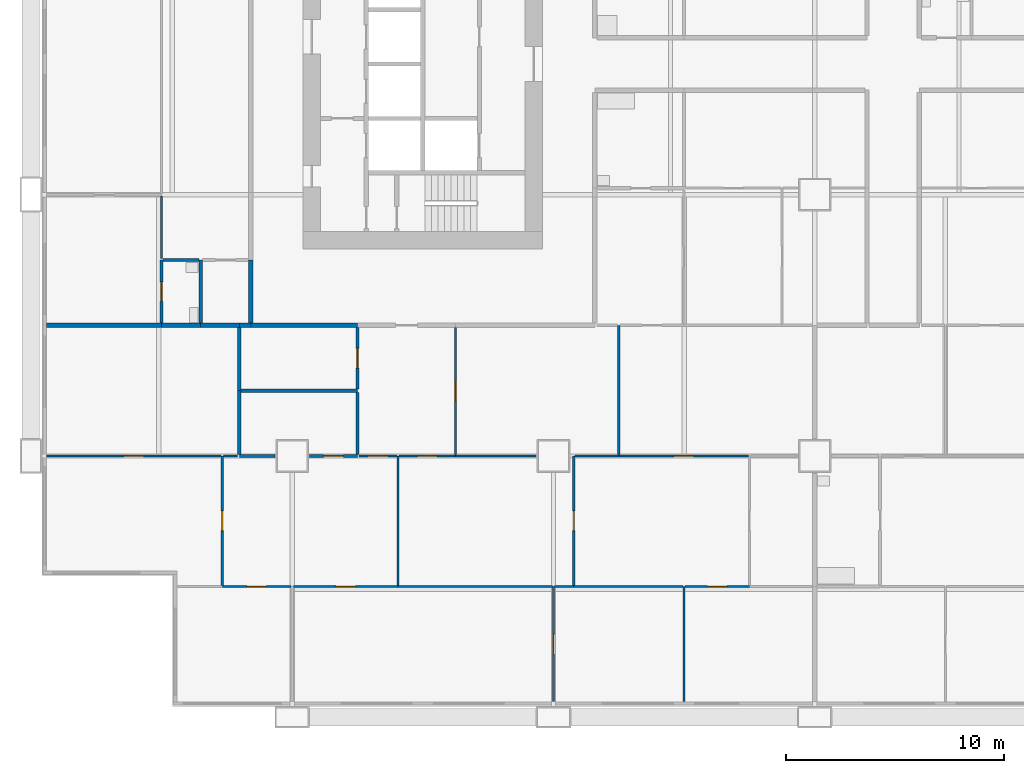
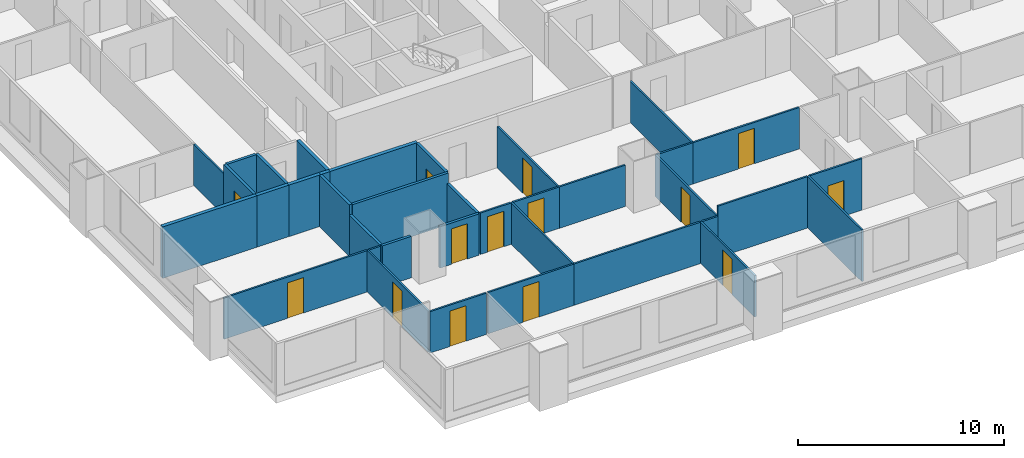
# One storey, part 2 of 13: 37 walls, 14 doors, 14 openings.
"""IFC4 building model written with IfcOpenShell, lengths in metres."""

import ifcopenshell
import ifcopenshell.guid

model = None  # the IFC model being written
_history = None  # IfcOwnerHistory: only IFC2X3 demands one
_inside = {}  # id of a spatial element -> (the spatial element, [elements in it])
_under = {}  # id of a project, library or spatial element -> (it, [spatial elements below it])
_declared = {}  # id of a project -> (the project, [libraries it declares])
_typed = {}  # id of a type object -> (the type object, [elements of that type])
_made_of = {}  # id of a material, layer set ... -> (it, [elements and type objects made of it])


def new_model(schema):
    """Start an empty IFC model of exactly this schema.

    Asked for "IFC4X3", IfcOpenShell would pick the latest addendum, in which some entities
    have other attributes; the version numbers below select the first issue.
    IFC2X3 requires an IfcOwnerHistory on every rooted entity: one is made here for all.
    """
    global model, _history
    if schema == "IFC4X3":
        model = ifcopenshell.file(schema_version=(4, 3, 0, 0))
    else:
        model = ifcopenshell.file(schema=schema)
    _inside.clear()
    _under.clear()
    _declared.clear()
    _typed.clear()
    _made_of.clear()
    _history = None
    if model.schema == "IFC2X3":
        org = make("IfcOrganization", Name="unknown")
        user = make(
            "IfcPersonAndOrganization",
            ThePerson=make("IfcPerson", FamilyName="unknown"),
            TheOrganization=org,
        )
        app = make(
            "IfcApplication",
            ApplicationDeveloper=org,
            Version="unknown",
            ApplicationFullName="unknown",
            ApplicationIdentifier="unknown",
        )
        _history = make(
            "IfcOwnerHistory",
            OwningUser=user,
            OwningApplication=app,
            ChangeAction="ADDED",
            CreationDate=0,
        )
    return model


def make(cls, **values):
    """One entity of the class cls with the attributes given. An attribute that is None is left unset."""
    return model.create_entity(
        cls, **{name: value for name, value in values.items() if value is not None}
    )


def rooted(cls, **values):
    """An entity with a GlobalId (a new one), such as an element, a storey or a relation."""
    return make(cls, GlobalId=ifcopenshell.guid.new(), OwnerHistory=_history, **values)


def si_unit(unit_type, name, prefix=None):
    """IfcSIUnit, for example si_unit("LENGTHUNIT", "METRE", prefix="MILLI")."""
    return make("IfcSIUnit", UnitType=unit_type, Prefix=prefix, Name=name)


def assignment(units):
    """IfcUnitAssignment: the units of a project."""
    return None if units is None else make("IfcUnitAssignment", Units=units)


def point(xyz):
    """IfcCartesianPoint."""
    return None if xyz is None else make("IfcCartesianPoint", Coordinates=xyz)


def direction(xyz):
    """IfcDirection."""
    return None if xyz is None else make("IfcDirection", DirectionRatios=xyz)


def frame(location, z_axis=None, x_axis=None):
    """IfcAxis2Placement3D, a coordinate frame: its origin and axes. An axis left out is left unset."""
    return make(
        "IfcAxis2Placement3D",
        Location=point(location),
        Axis=direction(z_axis),
        RefDirection=direction(x_axis),
    )


def frame_2d(location, x_axis=None):
    """IfcAxis2Placement2D, a coordinate frame in the plane: its origin and x axis."""
    return make(
        "IfcAxis2Placement2D", Location=point(location), RefDirection=direction(x_axis)
    )


def origin():
    """The frame at (0, 0, 0) with its axes left unset."""
    return frame((0.0, 0.0, 0.0))


def place(relative_to, where):
    """IfcLocalPlacement: puts the frame where relative to a parent placement (None: the world)."""
    return make(
        "IfcLocalPlacement", PlacementRelTo=relative_to, RelativePlacement=where
    )


def context(
    kind, dimensions, precision=None, world=None, true_north=None, identifier=None
):
    """IfcGeometricRepresentationContext, for example the 3D "Model" context."""
    return make(
        "IfcGeometricRepresentationContext",
        ContextIdentifier=identifier,
        ContextType=kind,
        CoordinateSpaceDimension=dimensions,
        Precision=precision,
        WorldCoordinateSystem=world,
        TrueNorth=true_north,
    )


def subcontext(parent, identifier, kind, view, scale=None):
    """IfcGeometricRepresentationSubContext, for example "Body" below "Model"."""
    return make(
        "IfcGeometricRepresentationSubContext",
        ContextIdentifier=identifier,
        ContextType=kind,
        ParentContext=parent,
        TargetScale=scale,
        TargetView=view,
    )


def project(units=None, contexts=None):
    """IfcProject with its units and contexts."""
    return rooted(
        "IfcProject",
        Name="project",
        RepresentationContexts=contexts,
        UnitsInContext=assignment(units),
    )


def spatial(cls, under=None, at=None, **own):
    """A site, building, storey or space (cls), placed at a placement, below another one or the project."""
    s = rooted(cls, ObjectPlacement=at, **own)
    if under is not None:
        _under.setdefault(under.id(), (under, []))[1].append(s)
    return s


def profile(cls, at=None, kind="AREA", **sizes):
    """A parametric profile (cls). Its sizes go by their IFC names, for example OverallWidth=200.0."""
    return make(cls, ProfileType=kind, Position=at, **sizes)


def rectangle(**sizes):
    """IfcRectangleProfileDef."""
    return profile("IfcRectangleProfileDef", **sizes)


def extrude(swept, where, along, depth):
    """IfcExtrudedAreaSolid: the profile swept, set in the frame where, extruded along a direction by depth."""
    return make(
        "IfcExtrudedAreaSolid",
        SweptArea=swept,
        Position=where,
        ExtrudedDirection=direction(along),
        Depth=depth,
    )


def shape(context_of_items, identifier, shape_type, items):
    """IfcShapeRepresentation: the items that make up one representation, for example the "Body"."""
    return make(
        "IfcShapeRepresentation",
        ContextOfItems=context_of_items,
        RepresentationIdentifier=identifier,
        RepresentationType=shape_type,
        Items=items,
    )


def material(Name=None, Category=None):
    """IfcMaterial."""
    return make("IfcMaterial", Name=Name, Category=Category)


def layer(
    of_material, thickness, ventilated=None, Name=None, Category=None, Priority=None
):
    """IfcMaterialLayer: one layer of a wall or slab, of a material (None: an air gap)."""
    return make(
        "IfcMaterialLayer",
        Material=of_material,
        LayerThickness=thickness,
        IsVentilated=ventilated,
        Name=Name,
        Category=Category,
        Priority=Priority,
    )


def layer_set(layers, Name=None):
    """IfcMaterialLayerSet."""
    return make("IfcMaterialLayerSet", MaterialLayers=layers, LayerSetName=Name)


def made_of(thing, what):
    """Note that an element or type object is made of a material, layer set ...; save() writes the relation."""
    if what is not None:
        _made_of.setdefault(what.id(), (what, []))[1].append(thing)
    return thing


def type_object(cls, material=None, **own):
    """A type object (cls), such as IfcWallType, which elements share."""
    return made_of(rooted(cls, **own), material)


def element(
    cls,
    number,
    at=None,
    inside=None,
    cuts=None,
    type_object=None,
    material=None,
    context=None,
    identifier="Body",
    shape_type=None,
    held_by="IfcProductDefinitionShape",
    body=None,
    shapes=None,
    **own,
):
    """One element of the class cls, such as IfcWall. Its Tag is "e" and its number.

    at: its placement. inside: the storey or other place that contains it. cuts: it is an
    opening in that element (IfcRelVoidsElement). A single representation is given by context,
    identifier, shape_type and body (its items); several are given by shapes. held_by: the class
    of the entity that holds the representations. save() writes the other relations.
    """
    e = rooted(cls, Tag="e%d" % number, ObjectPlacement=at, **own)
    if body is not None:
        shapes = [shape(context, identifier, shape_type, body)]
    if shapes is not None:
        e.Representation = make(held_by, Representations=shapes)
    if inside is not None:
        _inside.setdefault(inside.id(), (inside, []))[1].append(e)
    if cuts is not None:
        rooted(
            "IfcRelVoidsElement", RelatingBuildingElement=cuts, RelatedOpeningElement=e
        )
    if type_object is not None:
        _typed.setdefault(type_object.id(), (type_object, []))[1].append(e)
    return made_of(e, material)


def fill(opening, filler):
    """IfcRelFillsElement: the door or window that sits in an opening."""
    return rooted(
        "IfcRelFillsElement",
        RelatingOpeningElement=opening,
        RelatedBuildingElement=filler,
    )


def aggregate(whole, parts):
    """IfcRelAggregates: a whole, such as a stair, and the parts it consists of."""
    return rooted("IfcRelAggregates", RelatingObject=whole, RelatedObjects=parts)


def save(model, path):
    """Write the relations noted so far, then the file.

    IfcRelAggregates (storeys below a building ...), IfcRelContainedInSpatialStructure (elements
    in a storey), IfcRelDefinesByType, IfcRelAssociatesMaterial and IfcRelDeclares: one each for
    every whole, place, type object, material and project.
    """
    for whole, parts in _under.values():
        aggregate(whole, parts)
    for where, things in _inside.values():
        rooted(
            "IfcRelContainedInSpatialStructure",
            RelatedElements=things,
            RelatingStructure=where,
        )
    for kind, things in _typed.values():
        rooted("IfcRelDefinesByType", RelatedObjects=things, RelatingType=kind)
    for what, things in _made_of.values():
        rooted("IfcRelAssociatesMaterial", RelatedObjects=things, RelatingMaterial=what)
    for by, libraries in _declared.values():
        rooted("IfcRelDeclares", RelatingContext=by, RelatedDefinitions=libraries)
    model.write(path)


model = new_model("IFC4")

# Units and contexts
model_context = context("Model", 3, precision=1e-05, world=origin(), true_north=direction((0.0, 1.0)))
body_context = subcontext(model_context, "Body", "Model", "MODEL_VIEW")
ifc_project = project(units=[si_unit("LENGTHUNIT", "METRE"), si_unit("AREAUNIT", "SQUARE_METRE"), si_unit("VOLUMEUNIT", "CUBIC_METRE"), si_unit("PLANEANGLEUNIT", "RADIAN"), si_unit("MASSUNIT", "GRAM", prefix="KILO")], contexts=[model_context])

# Site, building, storey
site_placement = place(None, origin())
site = spatial("IfcSite", under=ifc_project, at=site_placement, CompositionType="ELEMENT")
building_placement = place(site_placement, origin())
building = spatial("IfcBuilding", under=site, at=building_placement, Name="Kitamizu Gate Tower and Museum", CompositionType="ELEMENT")
storey_placement = place(building_placement, frame((0.0, 0.0, 88.64990234375)))
storey = spatial("IfcBuildingStorey", under=building, at=storey_placement, Name="L22", CompositionType="ELEMENT", Elevation=88.64990234375)

# Wall, opening, door
ifc_material_1 = material(Name="Gypsum board on galvanised stud")
ifc_layer_1 = layer(ifc_material_1, 0.10009765625)
ifc_layer_set_1 = layer_set([ifc_layer_1], Name="Gypsum board on galvanised stud")
wall_type_1 = type_object("IfcWallType", Name="Partition 100 NOT RATED", PredefinedType="PARTITIONING", material=ifc_layer_set_1)
wall_1_placement = place(storey_placement, frame((11.949951171875, 6.0, 0.0), z_axis=(0.0, 0.0, 1.0), x_axis=(-1.0, 0.0, 0.0)))
wall_1 = element("IfcWall", 1, at=wall_1_placement, inside=storey, type_object=wall_type_1, Name="Partition L22-003", PredefinedType="PARTITIONING", context=body_context, shape_type="SweptSolid", body=[
    extrude(rectangle(XDim=3.159912109375, YDim=0.10009765625, at=frame_2d((1.580078125, 0.0))), origin(), (0.0, 0.0, 1.0), 2.4501953125),
])
opening_1_placement = place(wall_1_placement, frame((1.1298828125, 0.0, 0.0)))
opening_1 = element("IfcOpeningElement", 2, at=opening_1_placement, cuts=wall_1, Name="Opening L22-004", PredefinedType="OPENING", context=body_context, shape_type="SweptSolid", body=[
    extrude(rectangle(XDim=0.89990234375, YDim=2.10009765625, at=frame_2d((0.449951171875, 1.050048828125))), frame((0.0, 0.06005859375, 0.0), z_axis=(0.0, -1.0, 0.0), x_axis=(1.0, 0.0, 0.0)), (0.0, 0.0, 1.0), 0.1201171875),
])
ifc_material_2 = material(Name="Timber door set", Category="wood")
door_type_1 = type_object("IfcDoorType", Name="Room door 900", OperationType="NOTDEFINED", PredefinedType="DOOR", material=ifc_material_2)
door_1_placement = place(opening_1_placement, origin())
door_1 = element("IfcDoor", 3, at=door_1_placement, inside=storey, type_object=door_type_1, Name="Door L22-004", OperationType="SINGLE_SWING_RIGHT", OverallHeight=2.10009765625, OverallWidth=0.89990234375, PredefinedType="DOOR", context=body_context, shape_type="SweptSolid", body=[
    extrude(rectangle(XDim=0.89990234375, YDim=2.10009765625, at=frame_2d((0.449951171875, 1.050048828125))), frame((0.0, 0.02490234375, 0.0), z_axis=(0.0, -1.0, 0.0), x_axis=(1.0, 0.0, 0.0)), (0.0, 0.0, 1.0), 0.050048828125),
])
fill(opening_1, door_1)

wall_2_placement = place(storey_placement, frame((24.0, 0.719970703125, 0.0), z_axis=(0.0, 0.0, 1.0), x_axis=(0.0, 1.0, 0.0)))
wall_2 = element("IfcWall", 4, at=wall_2_placement, inside=storey, type_object=wall_type_1, Name="Partition L22-004", PredefinedType="PARTITIONING", context=body_context, shape_type="SweptSolid", body=[
    extrude(rectangle(XDim=5.280029296875, YDim=0.10009765625, at=frame_2d((2.64013671875, 0.0))), origin(), (0.0, 0.0, 1.0), 2.4501953125),
])
opening_2_placement = place(wall_2_placement, frame((2.18994140625, 0.0, 0.0)))
opening_2 = element("IfcOpeningElement", 5, at=opening_2_placement, cuts=wall_2, Name="Opening L22-008", PredefinedType="OPENING", context=body_context, shape_type="SweptSolid", body=[
    extrude(rectangle(XDim=0.89990234375, YDim=2.10009765625, at=frame_2d((0.449951171875, 1.050048828125))), frame((0.0, 0.06005859375, 0.0), z_axis=(0.0, -1.0, 0.0), x_axis=(1.0, 0.0, 0.0)), (0.0, 0.0, 1.0), 0.1201171875),
])
door_2_placement = place(opening_2_placement, frame((0.89990234375, 0.0, 0.0), x_axis=(-1.0, 0.0, 0.0)))
door_2 = element("IfcDoor", 6, at=door_2_placement, inside=storey, type_object=door_type_1, Name="Door L22-008", OperationType="SINGLE_SWING_LEFT", OverallHeight=2.10009765625, OverallWidth=0.89990234375, PredefinedType="DOOR", context=body_context, shape_type="SweptSolid", body=[
    extrude(rectangle(XDim=0.89990234375, YDim=2.10009765625, at=frame_2d((0.449951171875, 1.050048828125))), frame((0.0, 0.02490234375, 0.0), z_axis=(0.0, -1.0, 0.0), x_axis=(1.0, 0.0, 0.0)), (0.0, 0.0, 1.0), 0.050048828125),
])
fill(opening_2, door_2)

wall_3_placement = place(storey_placement, frame((16.860107421875, 6.0, 0.0), z_axis=(0.0, 0.0, 1.0), x_axis=(-1.0, 0.0, 0.0)))
wall_3 = element("IfcWall", 7, at=wall_3_placement, inside=storey, type_object=wall_type_1, Name="Partition L22-005", PredefinedType="PARTITIONING", context=body_context, shape_type="SweptSolid", body=[
    extrude(rectangle(XDim=4.81005859375, YDim=0.10009765625, at=frame_2d((2.405029296875, 0.0))), origin(), (0.0, 0.0, 1.0), 2.4501953125),
])
opening_3_placement = place(wall_3_placement, frame((1.955078125, 0.0, 0.0)))
opening_3 = element("IfcOpeningElement", 8, at=opening_3_placement, cuts=wall_3, Name="Opening L22-005", PredefinedType="OPENING", context=body_context, shape_type="SweptSolid", body=[
    extrude(rectangle(XDim=0.89990234375, YDim=2.10009765625, at=frame_2d((0.449951171875, 1.050048828125))), frame((0.0, 0.06005859375, 0.0), z_axis=(0.0, -1.0, 0.0), x_axis=(1.0, 0.0, 0.0)), (0.0, 0.0, 1.0), 0.1201171875),
])
door_3_placement = place(opening_3_placement, frame((0.89990234375, 0.0, 0.0), x_axis=(-1.0, 0.0, 0.0)))
door_3 = element("IfcDoor", 9, at=door_3_placement, inside=storey, type_object=door_type_1, Name="Door L22-005", OperationType="SINGLE_SWING_RIGHT", OverallHeight=2.10009765625, OverallWidth=0.89990234375, PredefinedType="DOOR", context=body_context, shape_type="SweptSolid", body=[
    extrude(rectangle(XDim=0.89990234375, YDim=2.10009765625, at=frame_2d((0.449951171875, 1.050048828125))), frame((0.0, 0.02490234375, 0.0), z_axis=(0.0, -1.0, 0.0), x_axis=(1.0, 0.0, 0.0)), (0.0, 0.0, 1.0), 0.050048828125),
])
fill(opening_3, door_3)

# Walls
wall_4_placement = place(storey_placement, frame((23.949951171875, 6.0, 0.0), z_axis=(0.0, 0.0, 1.0), x_axis=(-1.0, 0.0, 0.0)))
element("IfcWall", 10, at=wall_4_placement, inside=storey, type_object=wall_type_1, Name="Partition L22-006", PredefinedType="PARTITIONING", context=body_context, shape_type="SweptSolid", body=[
    extrude(rectangle(XDim=7.08984375, YDim=0.10009765625, at=frame_2d((3.544921875, 0.0))), origin(), (0.0, 0.0, 1.0), 2.4501953125),
])
wall_5_placement = place(storey_placement, frame((30.0, 0.719970703125, 0.0), z_axis=(0.0, 0.0, 1.0), x_axis=(0.0, 1.0, 0.0)))
element("IfcWall", 11, at=wall_5_placement, inside=storey, type_object=wall_type_1, Name="Partition L22-007", PredefinedType="PARTITIONING", context=body_context, shape_type="SweptSolid", body=[
    extrude(rectangle(XDim=5.280029296875, YDim=0.10009765625, at=frame_2d((2.64013671875, 0.0))), origin(), (0.0, 0.0, 1.0), 3.050048828125),
])
wall_6_placement = place(storey_placement, frame((24.929931640625, 6.0, 0.0), z_axis=(0.0, 0.0, 1.0), x_axis=(-1.0, 0.0, 0.0)))
element("IfcWall", 12, at=wall_6_placement, inside=storey, type_object=wall_type_1, Name="Partition L22-008", PredefinedType="PARTITIONING", context=body_context, shape_type="SweptSolid", body=[
    extrude(rectangle(XDim=0.8798828125, YDim=0.10009765625, at=frame_2d((0.43994140625, 0.0))), origin(), (0.0, 0.0, 1.0), 2.4501953125),
])
wall_7_placement = place(storey_placement, frame((29.949951171875, 6.0, 0.0), z_axis=(0.0, 0.0, 1.0), x_axis=(-1.0, 0.0, 0.0)))
element("IfcWall", 13, at=wall_7_placement, inside=storey, type_object=wall_type_1, Name="Partition L22-009", PredefinedType="PARTITIONING", context=body_context, shape_type="SweptSolid", body=[
    extrude(rectangle(XDim=5.02001953125, YDim=0.10009765625, at=frame_2d((2.510009765625, 0.0))), origin(), (0.0, 0.0, 1.0), 3.050048828125),
])

# Wall, opening, door
wall_8_placement = place(storey_placement, frame((33.0, 6.0, 0.0), z_axis=(0.0, 0.0, 1.0), x_axis=(-1.0, 0.0, 0.0)))
wall_8 = element("IfcWall", 14, at=wall_8_placement, inside=storey, type_object=wall_type_1, Name="Partition L22-010", PredefinedType="PARTITIONING", context=body_context, shape_type="SweptSolid", body=[
    extrude(rectangle(XDim=2.949951171875, YDim=0.10009765625, at=frame_2d((1.47509765625, 0.0))), origin(), (0.0, 0.0, 1.0), 3.050048828125),
])
opening_4_placement = place(wall_8_placement, frame((1.02490234375, 0.0, 0.0)))
opening_4 = element("IfcOpeningElement", 15, at=opening_4_placement, cuts=wall_8, Name="Opening L22-009", PredefinedType="OPENING", context=body_context, shape_type="SweptSolid", body=[
    extrude(rectangle(XDim=0.89990234375, YDim=2.10009765625, at=frame_2d((0.449951171875, 1.050048828125))), frame((0.0, 0.06005859375, 0.0), z_axis=(0.0, -1.0, 0.0), x_axis=(1.0, 0.0, 0.0)), (0.0, 0.0, 1.0), 0.1201171875),
])
door_4_placement = place(opening_4_placement, origin())
door_4 = element("IfcDoor", 16, at=door_4_placement, inside=storey, type_object=door_type_1, Name="Door L22-009", OperationType="SINGLE_SWING_LEFT", OverallHeight=2.10009765625, OverallWidth=0.89990234375, PredefinedType="DOOR", context=body_context, shape_type="SweptSolid", body=[
    extrude(rectangle(XDim=0.89990234375, YDim=2.10009765625, at=frame_2d((0.449951171875, 1.050048828125))), frame((0.0, 0.02490234375, 0.0), z_axis=(0.0, -1.0, 0.0), x_axis=(1.0, 0.0, 0.0)), (0.0, 0.0, 1.0), 0.050048828125),
])
fill(opening_4, door_4)

wall_9_placement = place(storey_placement, frame((8.7900390625, 6.050048828125, 0.0), z_axis=(0.0, 0.0, 1.0), x_axis=(0.0, 1.0, 0.0)))
wall_9 = element("IfcWall", 17, at=wall_9_placement, inside=storey, type_object=wall_type_1, Name="Partition L22-013", PredefinedType="PARTITIONING", context=body_context, shape_type="SweptSolid", body=[
    extrude(rectangle(XDim=5.949951171875, YDim=0.10009765625, at=frame_2d((2.97509765625, 0.0))), origin(), (0.0, 0.0, 1.0), 2.4501953125),
])
opening_5_placement = place(wall_9_placement, frame((2.52490234375, 0.0, 0.0)))
opening_5 = element("IfcOpeningElement", 18, at=opening_5_placement, cuts=wall_9, Name="Opening L22-006", PredefinedType="OPENING", context=body_context, shape_type="SweptSolid", body=[
    extrude(rectangle(XDim=0.89990234375, YDim=2.10009765625, at=frame_2d((0.449951171875, 1.050048828125))), frame((0.0, 0.06005859375, 0.0), z_axis=(0.0, -1.0, 0.0), x_axis=(1.0, 0.0, 0.0)), (0.0, 0.0, 1.0), 0.1201171875),
])
door_5_placement = place(opening_5_placement, frame((0.89990234375, 0.0, 0.0), x_axis=(-1.0, 0.0, 0.0)))
door_5 = element("IfcDoor", 19, at=door_5_placement, inside=storey, type_object=door_type_1, Name="Door L22-006", OperationType="SINGLE_SWING_LEFT", OverallHeight=2.10009765625, OverallWidth=0.89990234375, PredefinedType="DOOR", context=body_context, shape_type="SweptSolid", body=[
    extrude(rectangle(XDim=0.89990234375, YDim=2.10009765625, at=frame_2d((0.449951171875, 1.050048828125))), frame((0.0, 0.02490234375, 0.0), z_axis=(0.0, -1.0, 0.0), x_axis=(1.0, 0.0, 0.0)), (0.0, 0.0, 1.0), 0.050048828125),
])
fill(opening_5, door_5)

wall_10_placement = place(storey_placement, frame((8.739990234375, 12.0, 0.0), z_axis=(0.0, 0.0, 1.0), x_axis=(-1.0, 0.0, 0.0)))
wall_10 = element("IfcWall", 20, at=wall_10_placement, inside=storey, type_object=wall_type_1, Name="Partition L22-014", PredefinedType="PARTITIONING", context=body_context, shape_type="SweptSolid", body=[
    extrude(rectangle(XDim=8.02001953125, YDim=0.10009765625, at=frame_2d((4.010009765625, 0.0))), origin(), (0.0, 0.0, 1.0), 2.4501953125),
])
opening_6_placement = place(wall_10_placement, frame((3.56005859375, 0.0, 0.0)))
opening_6 = element("IfcOpeningElement", 21, at=opening_6_placement, cuts=wall_10, Name="Opening L22-011", PredefinedType="OPENING", context=body_context, shape_type="SweptSolid", body=[
    extrude(rectangle(XDim=0.89990234375, YDim=2.10009765625, at=frame_2d((0.449951171875, 1.050048828125))), frame((0.0, 0.06005859375, 0.0), z_axis=(0.0, -1.0, 0.0), x_axis=(1.0, 0.0, 0.0)), (0.0, 0.0, 1.0), 0.1201171875),
])
door_6_placement = place(opening_6_placement, frame((0.89990234375, 0.0, 0.0), x_axis=(-1.0, 0.0, 0.0)))
door_6 = element("IfcDoor", 22, at=door_6_placement, inside=storey, type_object=door_type_1, Name="Door L22-011", OperationType="SINGLE_SWING_LEFT", OverallHeight=2.10009765625, OverallWidth=0.89990234375, PredefinedType="DOOR", context=body_context, shape_type="SweptSolid", body=[
    extrude(rectangle(XDim=0.89990234375, YDim=2.10009765625, at=frame_2d((0.449951171875, 1.050048828125))), frame((0.0, 0.02490234375, 0.0), z_axis=(0.0, -1.0, 0.0), x_axis=(1.0, 0.0, 0.0)), (0.0, 0.0, 1.0), 0.050048828125),
])
fill(opening_6, door_6)

# Walls
wall_11_placement = place(storey_placement, frame((16.860107421875, 6.050048828125, 0.0), z_axis=(0.0, 0.0, 1.0), x_axis=(0.0, 1.0, 0.0)))
element("IfcWall", 23, at=wall_11_placement, inside=storey, type_object=wall_type_1, Name="Partition L22-015", PredefinedType="PARTITIONING", context=body_context, shape_type="SweptSolid", body=[
    extrude(rectangle(XDim=5.949951171875, YDim=0.10009765625, at=frame_2d((2.97509765625, 0.0))), origin(), (0.0, 0.0, 1.0), 2.4501953125),
])
wall_12_placement = place(storey_placement, frame((9.4990234375, 12.0, 0.0), z_axis=(0.0, 0.0, 1.0), x_axis=(-1.0, 0.0, 0.0)))
element("IfcWall", 24, at=wall_12_placement, inside=storey, type_object=wall_type_1, Name="Partition L22-016", PredefinedType="PARTITIONING", context=body_context, shape_type="SweptSolid", body=[
    extrude(rectangle(XDim=0.658935546875, YDim=0.10009765625, at=frame_2d((0.32958984375, 0.0))), origin(), (0.0, 0.0, 1.0), 2.4501953125),
])

# Wall, opening, door
wall_13_placement = place(storey_placement, frame((16.81005859375, 12.0, 0.0), z_axis=(0.0, 0.0, 1.0), x_axis=(-1.0, 0.0, 0.0)))
wall_13 = element("IfcWall", 25, at=wall_13_placement, inside=storey, type_object=wall_type_1, Name="Partition L22-019", PredefinedType="PARTITIONING", context=body_context, shape_type="SweptSolid", body=[
    extrude(rectangle(XDim=1.735107421875, YDim=0.10009765625, at=frame_2d((0.86767578125, 0.0))), origin(), (0.0, 0.0, 1.0), 2.4501953125),
])
opening_7_placement = place(wall_13_placement, frame((0.41748046875, 0.0, 0.0)))
opening_7 = element("IfcOpeningElement", 26, at=opening_7_placement, cuts=wall_13, Name="Opening L22-002", PredefinedType="OPENING", context=body_context, shape_type="SweptSolid", body=[
    extrude(rectangle(XDim=0.89990234375, YDim=2.10009765625, at=frame_2d((0.449951171875, 1.050048828125))), frame((0.0, 0.06005859375, 0.0), z_axis=(0.0, -1.0, 0.0), x_axis=(1.0, 0.0, 0.0)), (0.0, 0.0, 1.0), 0.1201171875),
])
door_7_placement = place(opening_7_placement, origin())
door_7 = element("IfcDoor", 27, at=door_7_placement, inside=storey, type_object=door_type_1, Name="Door L22-002", OperationType="SINGLE_SWING_RIGHT", OverallHeight=2.10009765625, OverallWidth=0.89990234375, PredefinedType="DOOR", context=body_context, shape_type="SweptSolid", body=[
    extrude(rectangle(XDim=0.89990234375, YDim=2.10009765625, at=frame_2d((0.449951171875, 1.050048828125))), frame((0.0, 0.02490234375, 0.0), z_axis=(0.0, -1.0, 0.0), x_axis=(1.0, 0.0, 0.0)), (0.0, 0.0, 1.0), 0.050048828125),
])
fill(opening_7, door_7)

wall_14_placement = place(storey_placement, frame((24.929931640625, 6.050048828125, 0.0), z_axis=(0.0, 0.0, 1.0), x_axis=(0.0, 1.0, 0.0)))
wall_14 = element("IfcWall", 28, at=wall_14_placement, inside=storey, type_object=wall_type_1, Name="Partition L22-020", PredefinedType="PARTITIONING", context=body_context, shape_type="SweptSolid", body=[
    extrude(rectangle(XDim=5.949951171875, YDim=0.10009765625, at=frame_2d((2.97509765625, 0.0))), origin(), (0.0, 0.0, 1.0), 2.4501953125),
])
opening_8_placement = place(wall_14_placement, frame((2.52490234375, 0.0, 0.0)))
opening_8 = element("IfcOpeningElement", 29, at=opening_8_placement, cuts=wall_14, Name="Opening L22-007", PredefinedType="OPENING", context=body_context, shape_type="SweptSolid", body=[
    extrude(rectangle(XDim=0.89990234375, YDim=2.10009765625, at=frame_2d((0.449951171875, 1.050048828125))), frame((0.0, 0.06005859375, 0.0), z_axis=(0.0, -1.0, 0.0), x_axis=(1.0, 0.0, 0.0)), (0.0, 0.0, 1.0), 0.1201171875),
])
door_8_placement = place(opening_8_placement, origin())
door_8 = element("IfcDoor", 30, at=door_8_placement, inside=storey, type_object=door_type_1, Name="Door L22-007", OperationType="SINGLE_SWING_LEFT", OverallHeight=2.10009765625, OverallWidth=0.89990234375, PredefinedType="DOOR", context=body_context, shape_type="SweptSolid", body=[
    extrude(rectangle(XDim=0.89990234375, YDim=2.10009765625, at=frame_2d((0.449951171875, 1.050048828125))), frame((0.0, 0.02490234375, 0.0), z_axis=(0.0, -1.0, 0.0), x_axis=(1.0, 0.0, 0.0)), (0.0, 0.0, 1.0), 0.050048828125),
])
fill(opening_8, door_8)

wall_15_placement = place(storey_placement, frame((19.5, 12.0, 0.0), z_axis=(0.0, 0.0, 1.0), x_axis=(-1.0, 0.0, 0.0)))
wall_15 = element("IfcWall", 31, at=wall_15_placement, inside=storey, type_object=wall_type_1, Name="Partition L22-021", PredefinedType="PARTITIONING", context=body_context, shape_type="SweptSolid", body=[
    extrude(rectangle(XDim=2.590087890625, YDim=0.10009765625, at=frame_2d((1.294921875, 0.0))), origin(), (0.0, 0.0, 1.0), 2.4501953125),
])
opening_9_placement = place(wall_15_placement, frame((0.844970703125, 0.0, 0.0)))
opening_9 = element("IfcOpeningElement", 32, at=opening_9_placement, cuts=wall_15, Name="Opening L22-003", PredefinedType="OPENING", context=body_context, shape_type="SweptSolid", body=[
    extrude(rectangle(XDim=0.89990234375, YDim=2.10009765625, at=frame_2d((0.449951171875, 1.050048828125))), frame((0.0, 0.06005859375, 0.0), z_axis=(0.0, -1.0, 0.0), x_axis=(1.0, 0.0, 0.0)), (0.0, 0.0, 1.0), 0.1201171875),
])
door_9_placement = place(opening_9_placement, origin())
door_9 = element("IfcDoor", 33, at=door_9_placement, inside=storey, type_object=door_type_1, Name="Door L22-003", OperationType="SINGLE_SWING_LEFT", OverallHeight=2.10009765625, OverallWidth=0.89990234375, PredefinedType="DOOR", context=body_context, shape_type="SweptSolid", body=[
    extrude(rectangle(XDim=0.89990234375, YDim=2.10009765625, at=frame_2d((0.449951171875, 1.050048828125))), frame((0.0, 0.02490234375, 0.0), z_axis=(0.0, -1.0, 0.0), x_axis=(1.0, 0.0, 0.0)), (0.0, 0.0, 1.0), 0.050048828125),
])
fill(opening_9, door_9)

# Walls
wall_16_placement = place(storey_placement, frame((23.199951171875, 12.0, 0.0), z_axis=(0.0, 0.0, 1.0), x_axis=(-1.0, 0.0, 0.0)))
element("IfcWall", 34, at=wall_16_placement, inside=storey, type_object=wall_type_1, Name="Partition L22-022", PredefinedType="PARTITIONING", context=body_context, shape_type="SweptSolid", body=[
    extrude(rectangle(XDim=3.699951171875, YDim=0.10009765625, at=frame_2d((1.85009765625, 0.0))), origin(), (0.0, 0.0, 1.0), 2.4501953125),
])
wall_17_placement = place(storey_placement, frame((27.0, 12.0, 0.0), z_axis=(0.0, 0.0, 1.0), x_axis=(-1.0, 0.0, 0.0)))
element("IfcWall", 35, at=wall_17_placement, inside=storey, type_object=wall_type_1, Name="Partition L22-024", PredefinedType="PARTITIONING", context=body_context, shape_type="SweptSolid", body=[
    extrude(rectangle(XDim=2.02001953125, YDim=0.10009765625, at=frame_2d((1.010009765625, 0.0))), origin(), (0.0, 0.0, 1.0), 2.4501953125),
])

# Wall, opening, door
wall_18_placement = place(storey_placement, frame((32.949951171875, 12.0, 0.0), z_axis=(0.0, 0.0, 1.0), x_axis=(-1.0, 0.0, 0.0)))
wall_18 = element("IfcWall", 36, at=wall_18_placement, inside=storey, type_object=wall_type_1, Name="Partition L22-025", PredefinedType="PARTITIONING", context=body_context, shape_type="SweptSolid", body=[
    extrude(rectangle(XDim=5.949951171875, YDim=0.10009765625, at=frame_2d((2.97509765625, 0.0))), origin(), (0.0, 0.0, 1.0), 2.4501953125),
])
opening_10_placement = place(wall_18_placement, frame((2.52490234375, 0.0, 0.0)))
opening_10 = element("IfcOpeningElement", 37, at=opening_10_placement, cuts=wall_18, Name="Opening L22-015", PredefinedType="OPENING", context=body_context, shape_type="SweptSolid", body=[
    extrude(rectangle(XDim=0.89990234375, YDim=2.10009765625, at=frame_2d((0.449951171875, 1.050048828125))), frame((0.0, 0.06005859375, 0.0), z_axis=(0.0, -1.0, 0.0), x_axis=(1.0, 0.0, 0.0)), (0.0, 0.0, 1.0), 0.1201171875),
])
door_10_placement = place(opening_10_placement, origin())
door_10 = element("IfcDoor", 38, at=door_10_placement, inside=storey, type_object=door_type_1, Name="Door L22-015", OperationType="SINGLE_SWING_RIGHT", OverallHeight=2.10009765625, OverallWidth=0.89990234375, PredefinedType="DOOR", context=body_context, shape_type="SweptSolid", body=[
    extrude(rectangle(XDim=0.89990234375, YDim=2.10009765625, at=frame_2d((0.449951171875, 1.050048828125))), frame((0.0, 0.02490234375, 0.0), z_axis=(0.0, -1.0, 0.0), x_axis=(1.0, 0.0, 0.0)), (0.0, 0.0, 1.0), 0.050048828125),
])
fill(opening_10, door_10)

wall_19_placement = place(storey_placement, frame((19.5, 12.050048828125, 0.0), z_axis=(0.0, 0.0, 1.0), x_axis=(0.0, 1.0, 0.0)))
wall_19 = element("IfcWall", 39, at=wall_19_placement, inside=storey, type_object=wall_type_1, Name="Partition L22-038", PredefinedType="PARTITIONING", context=body_context, shape_type="SweptSolid", body=[
    extrude(rectangle(XDim=5.849853515625, YDim=0.10009765625, at=frame_2d((2.9248046875, 0.0))), origin(), (0.0, 0.0, 1.0), 2.4501953125),
])
opening_11_placement = place(wall_19_placement, frame((2.47509765625, 0.0, 0.0)))
opening_11 = element("IfcOpeningElement", 40, at=opening_11_placement, cuts=wall_19, Name="Opening L22-014", PredefinedType="OPENING", context=body_context, shape_type="SweptSolid", body=[
    extrude(rectangle(XDim=0.89990234375, YDim=2.10009765625, at=frame_2d((0.449951171875, 1.050048828125))), frame((0.0, 0.06005859375, 0.0), z_axis=(0.0, -1.0, 0.0), x_axis=(1.0, 0.0, 0.0)), (0.0, 0.0, 1.0), 0.1201171875),
])
door_11_placement = place(opening_11_placement, frame((0.89990234375, 0.0, 0.0), x_axis=(-1.0, 0.0, 0.0)))
door_11 = element("IfcDoor", 41, at=door_11_placement, inside=storey, type_object=door_type_1, Name="Door L22-014", OperationType="SINGLE_SWING_RIGHT", OverallHeight=2.10009765625, OverallWidth=0.89990234375, PredefinedType="DOOR", context=body_context, shape_type="SweptSolid", body=[
    extrude(rectangle(XDim=0.89990234375, YDim=2.10009765625, at=frame_2d((0.449951171875, 1.050048828125))), frame((0.0, 0.02490234375, 0.0), z_axis=(0.0, -1.0, 0.0), x_axis=(1.0, 0.0, 0.0)), (0.0, 0.0, 1.0), 0.050048828125),
])
fill(opening_11, door_11)

# Walls
wall_20_placement = place(storey_placement, frame((27.0, 12.050048828125, 0.0), z_axis=(0.0, 0.0, 1.0), x_axis=(0.0, 1.0, 0.0)))
element("IfcWall", 42, at=wall_20_placement, inside=storey, type_object=wall_type_1, Name="Partition L22-040", PredefinedType="PARTITIONING", context=body_context, shape_type="SweptSolid", body=[
    extrude(rectangle(XDim=5.949951171875, YDim=0.10009765625, at=frame_2d((2.97509765625, 0.0))), origin(), (0.0, 0.0, 1.0), 2.4501953125),
])
wall_21_placement = place(storey_placement, frame((6.0, 21.074951171875, 0.0), z_axis=(0.0, 0.0, 1.0), x_axis=(0.0, 1.0, 0.0)))
element("IfcWall", 43, at=wall_21_placement, inside=storey, type_object=wall_type_1, Name="Partition L22-065", PredefinedType="PARTITIONING", context=body_context, shape_type="SweptSolid", body=[
    extrude(rectangle(XDim=2.875, YDim=0.10009765625, at=frame_2d((1.4375, 0.0))), origin(), (0.0, 0.0, 1.0), 2.4501953125),
])
ifc_material_3 = material(Name="Gypsum board on galvanised stud")
ifc_layer_2 = layer(ifc_material_3, 0.14990234375)
ifc_layer_set_2 = layer_set([ifc_layer_2], Name="Gypsum board on galvanised stud")
wall_type_2 = type_object("IfcWallType", Name="Partition 150", PredefinedType="PARTITIONING", material=ifc_layer_set_2)
wall_22_placement = place(storey_placement, frame((11.199951171875, 12.0, 0.0), z_axis=(0.0, 0.0, 1.0), x_axis=(-1.0, 0.0, 0.0)))
element("IfcWall", 44, at=wall_22_placement, inside=storey, type_object=wall_type_2, Name="Partition L22-017", PredefinedType="PARTITIONING", context=body_context, shape_type="SweptSolid", body=[
    extrude(rectangle(XDim=1.6259765625, YDim=0.14990234375, at=frame_2d((0.81298828125, 0.0))), origin(), (0.0, 0.0, 1.0), 2.4501953125),
])

# Wall, opening, door
wall_23_placement = place(storey_placement, frame((15.0, 12.0, 0.0), z_axis=(0.0, 0.0, 1.0), x_axis=(-1.0, 0.0, 0.0)))
wall_23 = element("IfcWall", 45, at=wall_23_placement, inside=storey, type_object=wall_type_2, Name="Partition L22-018", PredefinedType="PARTITIONING", context=body_context, shape_type="SweptSolid", body=[
    extrude(rectangle(XDim=2.199951171875, YDim=0.14990234375, at=frame_2d((1.10009765625, 0.0))), origin(), (0.0, 0.0, 1.0), 2.4501953125),
])
opening_12_placement = place(wall_23_placement, frame((0.64990234375, 0.0, 0.0)))
opening_12 = element("IfcOpeningElement", 46, at=opening_12_placement, cuts=wall_23, Name="Opening L22-012", PredefinedType="OPENING", context=body_context, shape_type="SweptSolid", body=[
    extrude(rectangle(XDim=0.89990234375, YDim=2.10009765625, at=frame_2d((0.449951171875, 1.050048828125))), frame((0.0, 0.0849609375, 0.0), z_axis=(0.0, -1.0, 0.0), x_axis=(1.0, 0.0, 0.0)), (0.0, 0.0, 1.0), 0.169921875),
])
ifc_material_4 = material(Name="Timber door set", Category="wood")
door_type_2 = type_object("IfcDoorType", Name="Bathroom door 900", OperationType="NOTDEFINED", PredefinedType="DOOR", material=ifc_material_4)
door_12_placement = place(opening_12_placement, frame((0.89990234375, 0.0, 0.0), x_axis=(-1.0, 0.0, 0.0)))
door_12 = element("IfcDoor", 47, at=door_12_placement, inside=storey, type_object=door_type_2, Name="Bathroom door L22-012", OperationType="SINGLE_SWING_RIGHT", OverallHeight=2.10009765625, OverallWidth=0.89990234375, PredefinedType="DOOR", context=body_context, shape_type="SweptSolid", body=[
    extrude(rectangle(XDim=0.89990234375, YDim=2.10009765625, at=frame_2d((0.449951171875, 1.050048828125))), frame((0.0, 0.02490234375, 0.0), z_axis=(0.0, -1.0, 0.0), x_axis=(1.0, 0.0, 0.0)), (0.0, 0.0, 1.0), 0.050048828125),
])
fill(opening_12, door_12)

# Walls
wall_24_placement = place(storey_placement, frame((9.573974609375, 12.074951171875, 0.0), z_axis=(0.0, 0.0, 1.0), x_axis=(0.0, 1.0, 0.0)))
element("IfcWall", 48, at=wall_24_placement, inside=storey, type_object=wall_type_2, Name="Partition L22-028", PredefinedType="PARTITIONING", context=body_context, shape_type="SweptSolid", body=[
    extrude(rectangle(XDim=2.925048828125, YDim=0.14990234375, at=frame_2d((1.46240234375, 0.0))), origin(), (0.0, 0.0, 1.0), 2.4501953125),
])
wall_25_placement = place(storey_placement, frame((9.573974609375, 15.0, 0.0), z_axis=(0.0, 0.0, 1.0), x_axis=(0.0, 1.0, 0.0)))
element("IfcWall", 49, at=wall_25_placement, inside=storey, type_object=wall_type_2, Name="Partition L22-029", PredefinedType="PARTITIONING", context=body_context, shape_type="SweptSolid", body=[
    extrude(rectangle(XDim=2.89990234375, YDim=0.14990234375, at=frame_2d((1.449951171875, 0.0))), origin(), (0.0, 0.0, 1.0), 3.050048828125),
])
wall_26_placement = place(storey_placement, frame((15.0, 15.0, 0.0), z_axis=(0.0, 0.0, 1.0), x_axis=(-1.0, 0.0, 0.0)))
element("IfcWall", 50, at=wall_26_placement, inside=storey, type_object=wall_type_2, Name="Partition L22-033", PredefinedType="PARTITIONING", context=body_context, shape_type="SweptSolid", body=[
    extrude(rectangle(XDim=5.35107421875, YDim=0.14990234375, at=frame_2d((2.675537109375, 0.0))), origin(), (0.0, 0.0, 1.0), 3.050048828125),
])
wall_27_placement = place(storey_placement, frame((15.0, 12.074951171875, 0.0), z_axis=(0.0, 0.0, 1.0), x_axis=(0.0, 1.0, 0.0)))
element("IfcWall", 51, at=wall_27_placement, inside=storey, type_object=wall_type_2, Name="Partition L22-034", PredefinedType="PARTITIONING", context=body_context, shape_type="SweptSolid", body=[
    extrude(rectangle(XDim=2.85009765625, YDim=0.14990234375, at=frame_2d((1.425048828125, 0.0))), origin(), (0.0, 0.0, 1.0), 2.4501953125),
])

# Wall, opening, door
wall_28_placement = place(storey_placement, frame((15.0, 15.074951171875, 0.0), z_axis=(0.0, 0.0, 1.0), x_axis=(0.0, 1.0, 0.0)))
wall_28 = element("IfcWall", 52, at=wall_28_placement, inside=storey, type_object=wall_type_2, Name="Partition L22-035", PredefinedType="PARTITIONING", context=body_context, shape_type="SweptSolid", body=[
    extrude(rectangle(XDim=2.824951171875, YDim=0.14990234375, at=frame_2d((1.41259765625, 0.0))), origin(), (0.0, 0.0, 1.0), 3.050048828125),
])
opening_13_placement = place(wall_28_placement, frame((0.96240234375, 0.0, 0.0)))
opening_13 = element("IfcOpeningElement", 53, at=opening_13_placement, cuts=wall_28, Name="Opening L22-013", PredefinedType="OPENING", context=body_context, shape_type="SweptSolid", body=[
    extrude(rectangle(XDim=0.89990234375, YDim=2.10009765625, at=frame_2d((0.449951171875, 1.050048828125))), frame((0.0, 0.0849609375, 0.0), z_axis=(0.0, -1.0, 0.0), x_axis=(1.0, 0.0, 0.0)), (0.0, 0.0, 1.0), 0.169921875),
])
door_13_placement = place(opening_13_placement, origin())
door_13 = element("IfcDoor", 54, at=door_13_placement, inside=storey, type_object=door_type_2, Name="Bathroom door L22-013", OperationType="SINGLE_SWING_RIGHT", OverallHeight=2.10009765625, OverallWidth=0.89990234375, PredefinedType="DOOR", context=body_context, shape_type="SweptSolid", body=[
    extrude(rectangle(XDim=0.89990234375, YDim=2.10009765625, at=frame_2d((0.449951171875, 1.050048828125))), frame((0.0, 0.02490234375, 0.0), z_axis=(0.0, -1.0, 0.0), x_axis=(1.0, 0.0, 0.0)), (0.0, 0.0, 1.0), 0.050048828125),
])
fill(opening_13, door_13)

wall_29_placement = place(storey_placement, frame((6.0, 18.10009765625, 0.0), z_axis=(0.0, 0.0, 1.0), x_axis=(0.0, 1.0, 0.0)))
wall_29 = element("IfcWall", 55, at=wall_29_placement, inside=storey, type_object=wall_type_2, Name="Partition L22-064", PredefinedType="PARTITIONING", context=body_context, shape_type="SweptSolid", body=[
    extrude(rectangle(XDim=2.89990234375, YDim=0.14990234375, at=frame_2d((1.449951171875, 0.0))), origin(), (0.0, 0.0, 1.0), 3.050048828125),
])
opening_14_placement = place(wall_29_placement, frame((1.0, 0.0, 0.0)))
opening_14 = element("IfcOpeningElement", 56, at=opening_14_placement, cuts=wall_29, Name="Opening L22-027", PredefinedType="OPENING", context=body_context, shape_type="SweptSolid", body=[
    extrude(rectangle(XDim=0.89990234375, YDim=2.10009765625, at=frame_2d((0.449951171875, 1.050048828125))), frame((0.0, 0.0849609375, 0.0), z_axis=(0.0, -1.0, 0.0), x_axis=(1.0, 0.0, 0.0)), (0.0, 0.0, 1.0), 0.169921875),
])
door_14_placement = place(opening_14_placement, frame((0.89990234375, 0.0, 0.0), x_axis=(-1.0, 0.0, 0.0)))
door_14 = element("IfcDoor", 57, at=door_14_placement, inside=storey, type_object=door_type_2, Name="Bathroom door L22-027", OperationType="SINGLE_SWING_RIGHT", OverallHeight=2.10009765625, OverallWidth=0.89990234375, PredefinedType="DOOR", context=body_context, shape_type="SweptSolid", body=[
    extrude(rectangle(XDim=0.89990234375, YDim=2.10009765625, at=frame_2d((0.449951171875, 1.050048828125))), frame((0.0, 0.02490234375, 0.0), z_axis=(0.0, -1.0, 0.0), x_axis=(1.0, 0.0, 0.0)), (0.0, 0.0, 1.0), 0.050048828125),
])
fill(opening_14, door_14)

# Walls
wall_30_placement = place(storey_placement, frame((7.800048828125, 18.10009765625, 0.0), z_axis=(0.0, 0.0, 1.0), x_axis=(0.0, 1.0, 0.0)))
element("IfcWall", 58, at=wall_30_placement, inside=storey, type_object=wall_type_2, Name="Partition L22-071", PredefinedType="PARTITIONING", context=body_context, shape_type="SweptSolid", body=[
    extrude(rectangle(XDim=2.89990234375, YDim=0.14990234375, at=frame_2d((1.449951171875, 0.0))), origin(), (0.0, 0.0, 1.0), 3.050048828125),
])
wall_31_placement = place(storey_placement, frame((7.72509765625, 21.0, 0.0), z_axis=(0.0, 0.0, 1.0), x_axis=(-1.0, 0.0, 0.0)))
element("IfcWall", 59, at=wall_31_placement, inside=storey, type_object=wall_type_2, Name="Partition L22-072", PredefinedType="PARTITIONING", context=body_context, shape_type="SweptSolid", body=[
    extrude(rectangle(XDim=1.650146484375, YDim=0.14990234375, at=frame_2d((0.8251953125, 0.0))), origin(), (0.0, 0.0, 1.0), 3.050048828125),
])
ifc_material_5 = material(Name="Gypsum board on galvanised stud")
ifc_layer_3 = layer(ifc_material_5, 0.199951171875)
ifc_layer_set_3 = layer_set([ifc_layer_3], Name="Gypsum board on galvanised stud")
wall_type_3 = type_object("IfcWallType", Name="Partition 200", PredefinedType="PARTITIONING", material=ifc_layer_set_3)
wall_32_placement = place(storey_placement, frame((6.0, 18.0, 0.0), z_axis=(0.0, 0.0, 1.0), x_axis=(-1.0, 0.0, 0.0)))
element("IfcWall", 60, at=wall_32_placement, inside=storey, type_object=wall_type_3, Name="Partition L22-030", PredefinedType="PARTITIONING", context=body_context, shape_type="SweptSolid", body=[
    extrude(rectangle(XDim=5.280029296875, YDim=0.199951171875, at=frame_2d((2.64013671875, 0.0))), origin(), (0.0, 0.0, 1.0), 3.050048828125),
])
wall_33_placement = place(storey_placement, frame((7.800048828125, 18.0, 0.0), z_axis=(0.0, 0.0, 1.0), x_axis=(-1.0, 0.0, 0.0)))
element("IfcWall", 61, at=wall_33_placement, inside=storey, type_object=wall_type_3, Name="Partition L22-031", PredefinedType="PARTITIONING", context=body_context, shape_type="SweptSolid", body=[
    extrude(rectangle(XDim=1.800048828125, YDim=0.199951171875, at=frame_2d((0.89990234375, 0.0))), origin(), (0.0, 0.0, 1.0), 3.050048828125),
])
wall_34_placement = place(storey_placement, frame((9.573974609375, 18.0, 0.0), z_axis=(0.0, 0.0, 1.0), x_axis=(-1.0, 0.0, 0.0)))
element("IfcWall", 62, at=wall_34_placement, inside=storey, type_object=wall_type_3, Name="Partition L22-032", PredefinedType="PARTITIONING", context=body_context, shape_type="SweptSolid", body=[
    extrude(rectangle(XDim=1.77392578125, YDim=0.199951171875, at=frame_2d((0.886962890625, 0.0))), origin(), (0.0, 0.0, 1.0), 3.050048828125),
])
wall_35_placement = place(storey_placement, frame((10.10009765625, 18.0, 0.0), z_axis=(0.0, 0.0, 1.0), x_axis=(-1.0, 0.0, 0.0)))
element("IfcWall", 63, at=wall_35_placement, inside=storey, type_object=wall_type_3, Name="Partition L22-036", PredefinedType="PARTITIONING", context=body_context, shape_type="SweptSolid", body=[
    extrude(rectangle(XDim=0.526123046875, YDim=0.199951171875, at=frame_2d((0.26318359375, 0.0))), origin(), (0.0, 0.0, 1.0), 3.050048828125),
])
wall_36_placement = place(storey_placement, frame((15.0, 18.0, 0.0), z_axis=(0.0, 0.0, 1.0), x_axis=(-1.0, 0.0, 0.0)))
element("IfcWall", 64, at=wall_36_placement, inside=storey, type_object=wall_type_3, Name="Partition L22-037", PredefinedType="PARTITIONING", context=body_context, shape_type="SweptSolid", body=[
    extrude(rectangle(XDim=4.89990234375, YDim=0.199951171875, at=frame_2d((2.449951171875, 0.0))), origin(), (0.0, 0.0, 1.0), 3.050048828125),
])
wall_37_placement = place(storey_placement, frame((10.10009765625, 18.10009765625, 0.0), z_axis=(0.0, 0.0, 1.0), x_axis=(0.0, 1.0, 0.0)))
element("IfcWall", 65, at=wall_37_placement, inside=storey, type_object=wall_type_3, Name="Partition L22-074", PredefinedType="PARTITIONING", context=body_context, shape_type="SweptSolid", body=[
    extrude(rectangle(XDim=2.89990234375, YDim=0.199951171875, at=frame_2d((1.449951171875, 0.0))), origin(), (0.0, 0.0, 1.0), 3.050048828125),
])

save(model, "model.ifc")
